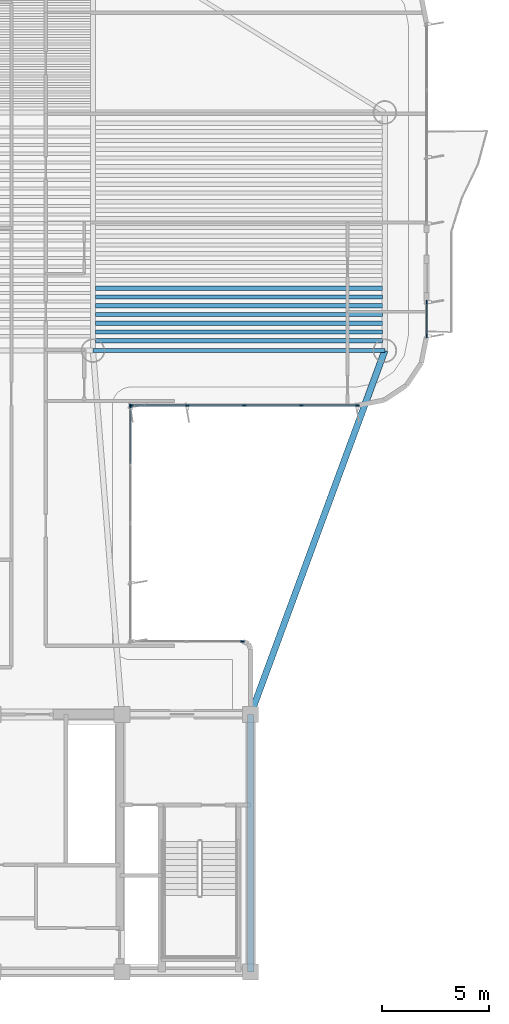
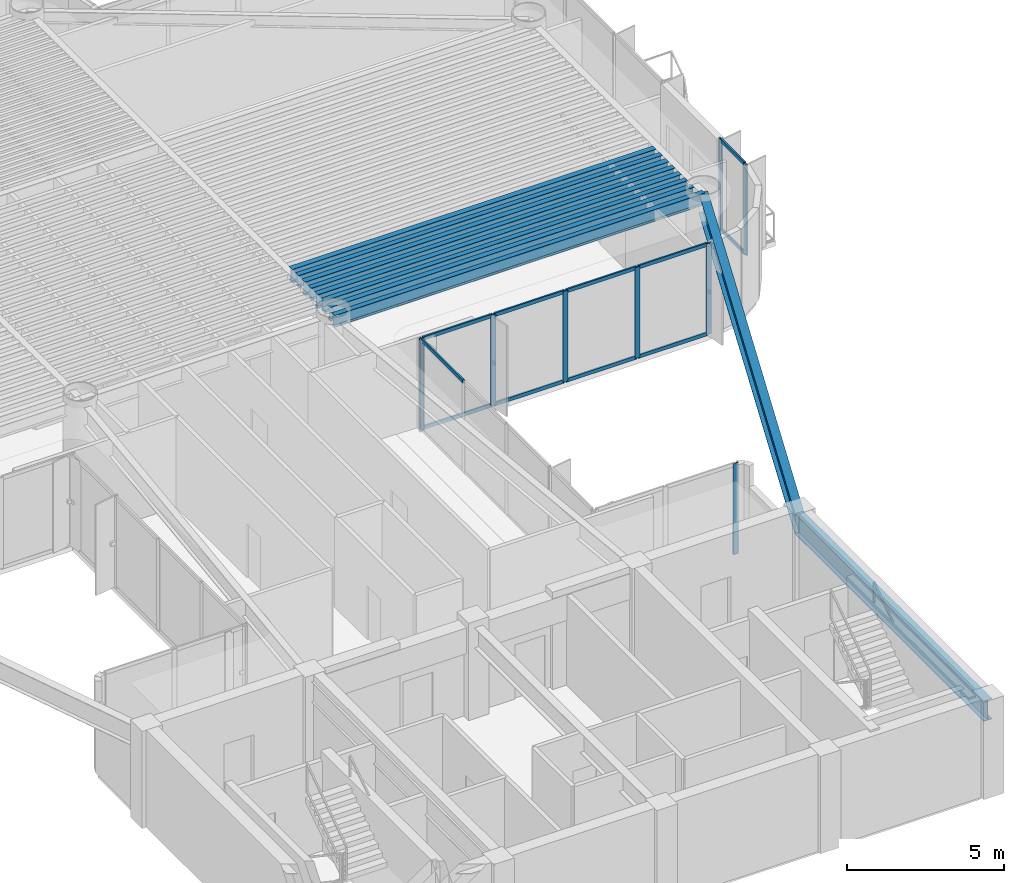
# One storey, part 4 of 14: 20 members, 10 beams, 4 elements without a shape of their own.
"""IFC4 building model written with IfcOpenShell, lengths in metres."""

from ifc_helpers import new_model, si_unit, direction, frame, origin, origin_2d, place, context, subcontext, project, spatial, rectangle, i_section, extrude, source, transform, mapped, material, layer, layer_set, material_profile, profile_set, type_object, element, aggregate, save


model = new_model("IFC4")

# Units and contexts
model_context = context("Model", 3, precision=1e-05, world=origin(), true_north=direction((0.0, 1.0)))
body_context = subcontext(model_context, "Body", "Model", "MODEL_VIEW")
ifc_project = project(units=[si_unit("LENGTHUNIT", "METRE"), si_unit("AREAUNIT", "SQUARE_METRE"), si_unit("VOLUMEUNIT", "CUBIC_METRE"), si_unit("PLANEANGLEUNIT", "RADIAN"), si_unit("MASSUNIT", "GRAM", prefix="KILO")], contexts=[model_context])

# Site, building, storey
site_placement = place(None, origin())
site = spatial("IfcSite", under=ifc_project, at=site_placement, CompositionType="ELEMENT")
building_placement = place(site_placement, origin())
building = spatial("IfcBuilding", under=site, at=building_placement, Name="Brelvock Crest Care Tower", CompositionType="ELEMENT")
storey_placement = place(building_placement, frame((0.0, 0.0, 205.56005859375)))
storey = spatial("IfcBuildingStorey", under=building, at=storey_placement, Name="L52", CompositionType="ELEMENT", Elevation=205.56005859375)

# Beams
ifc_material_1 = material(Name="Steel Grade 350", Category="steel")
ifc_material_profile_1 = material_profile(ifc_material_1, i_section(OverallWidth=0.300048828125, OverallDepth=0.800048828125, WebThickness=0.013916015625, FlangeThickness=0.02197265625, at=origin_2d()), Name="800WB192")
ifc_profile_set_1 = profile_set([ifc_material_profile_1], Name="Steel Grade 350")
beam_type_1 = type_object("IfcBeamType", Name="BM-G5", PredefinedType="BEAM", material=ifc_profile_set_1)
shared_shape_1 = source(origin(), body_context, "Body", "SweptSolid", [
    extrude(i_section(OverallWidth=0.300048828125, OverallDepth=0.800048828125, WebThickness=0.013916015625, FlangeThickness=0.02197265625, at=origin_2d()), origin(), (0.0, 0.0, 1.0), 12.0),
])
beam_1_placement = place(storey_placement, frame((48.0, 6.0, 3.1298828125), z_axis=(0.0, 1.0, 0.0), x_axis=(-1.0, 0.0, 0.0)))
element("IfcBeam", 1, at=beam_1_placement, inside=storey, type_object=beam_type_1, Name="BM-COREX-L52-5", PredefinedType="BEAM", context=body_context, shape_type="MappedRepresentation", body=[
    mapped(shared_shape_1, transform((0.0, 0.0, 0.0), x_axis=(1.0, 0.0, 0.0), y_axis=(0.0, 1.0, 0.0), z_axis=(0.0, 0.0, 1.0), scale=1.0)),
])
ifc_material_profile_2 = material_profile(ifc_material_1, i_section(OverallWidth=0.208984375, OverallDepth=0.532958984375, WebThickness=0.01025390625, FlangeThickness=0.015625, FilletRadius=0.013916015625, at=origin_2d()), Name="530UB92.4")
ifc_profile_set_2 = profile_set([ifc_material_profile_2], Name="Steel Grade 350")
beam_type_2 = type_object("IfcBeamType", Name="BM-G2", PredefinedType="BEAM", material=ifc_profile_set_2)
shared_shape_2 = source(origin(), body_context, "Body", "SweptSolid", [
    extrude(i_section(OverallWidth=0.208984375, OverallDepth=0.532958984375, WebThickness=0.01025390625, FlangeThickness=0.015625, FilletRadius=0.013916015625, at=origin_2d()), origin(), (0.0, 0.0, 1.0), 13.3701171875),
])
for number, where, z_axis, x_axis, name in (
    (2, (40.764892578125, 35.416259765625, 3.263427734375), (1.0, 0.0, 0.0), (0.0, 1.0, 0.0), "BM-JE-L52-1"),
    (3, (40.764892578125, 36.2265625, 3.263427734375), (1.0, 0.0, 0.0), (0.0, 1.0, 0.0), "BM-JE-L52-3"),
    (4, (40.764892578125, 37.036865234375, 3.263427734375), (1.0, 0.0, 0.0), (0.0, 1.0, 0.0), "BM-JE-L52-5"),
    (5, (40.764892578125, 37.84716796875, 3.263427734375), (1.0, 0.0, 0.0), (0.0, 1.0, 0.0), "BM-JE-L52-7"),
):
    element("IfcBeam", number, at=place(storey_placement, frame(where, z_axis=z_axis, x_axis=x_axis)), inside=storey, type_object=beam_type_2, Name=name, PredefinedType="BEAM", context=body_context, shape_type="MappedRepresentation", body=[
        mapped(shared_shape_2, transform((0.0, 0.0, 0.0), x_axis=(1.0, 0.0, 0.0), y_axis=(0.0, 1.0, 0.0), z_axis=(0.0, 0.0, 1.0), scale=1.0)),
    ])
ifc_material_profile_3 = material_profile(ifc_material_1, i_section(OverallWidth=0.19091796875, OverallDepth=0.4599609375, WebThickness=0.010009765625, FlangeThickness=0.01611328125, FilletRadius=0.011474609375, at=origin_2d()), Name="460UB82.1")
ifc_profile_set_3 = profile_set([ifc_material_profile_3], Name="Steel Grade 350")
beam_type_3 = type_object("IfcBeamType", Name="BM-G3", PredefinedType="BEAM", material=ifc_profile_set_3)
shared_shape_3 = source(origin(), body_context, "Body", "SweptSolid", [
    extrude(i_section(OverallWidth=0.19091796875, OverallDepth=0.4599609375, WebThickness=0.010009765625, FlangeThickness=0.01611328125, FilletRadius=0.011474609375, at=origin_2d()), origin(), (0.0, 0.0, 1.0), 13.3701171875),
])
for number, where, z_axis, x_axis, name in (
    (6, (40.764892578125, 35.8212890625, 3.300048828125), (1.0, 0.0, 0.0), (0.0, 1.0, 0.0), "BM-JE-L52-2"),
    (7, (40.764892578125, 36.631591796875, 3.300048828125), (1.0, 0.0, 0.0), (0.0, 1.0, 0.0), "BM-JE-L52-4"),
    (8, (40.764892578125, 37.44189453125, 3.300048828125), (1.0, 0.0, 0.0), (0.0, 1.0, 0.0), "BM-JE-L52-6"),
):
    element("IfcBeam", number, at=place(storey_placement, frame(where, z_axis=z_axis, x_axis=x_axis)), inside=storey, type_object=beam_type_3, Name=name, PredefinedType="BEAM", context=body_context, shape_type="MappedRepresentation", body=[
        mapped(shared_shape_3, transform((0.0, 0.0, 0.0), x_axis=(1.0, 0.0, 0.0), y_axis=(0.0, 1.0, 0.0), z_axis=(0.0, 0.0, 1.0), scale=1.0)),
    ])
ifc_material_profile_4 = material_profile(ifc_material_1, i_section(OverallWidth=0.19091796875, OverallDepth=0.4599609375, WebThickness=0.010009765625, FlangeThickness=0.01611328125, FilletRadius=0.011474609375, at=origin_2d()), Name="460UB82.1")
ifc_profile_set_4 = profile_set([ifc_material_profile_4], Name="Steel Grade 350")
beam_type_4 = type_object("IfcBeamType", Name="BM-SP2", PredefinedType="SPANDREL", material=ifc_profile_set_4)
shared_shape_4 = source(origin(), body_context, "Body", "SweptSolid", [
    extrude(i_section(OverallWidth=0.19091796875, OverallDepth=0.4599609375, WebThickness=0.010009765625, FlangeThickness=0.01611328125, FilletRadius=0.011474609375, at=origin_2d()), origin(), (0.0, 0.0, 1.0), 13.60009765625),
])
beam_2_placement = place(storey_placement, frame((40.64990234375, 34.949951171875, 3.300048828125), z_axis=(1.0, 0.0, 0.0), x_axis=(0.0, 1.0, 0.0)))
element("IfcBeam", 9, at=beam_2_placement, inside=storey, type_object=beam_type_4, Name="BM-TWR-L52-04", PredefinedType="SPANDREL", context=body_context, shape_type="MappedRepresentation", body=[
    mapped(shared_shape_4, transform((0.0, 0.0, 0.0), x_axis=(1.0, 0.0, 0.0), y_axis=(0.0, 1.0, 0.0), z_axis=(0.0, 0.0, 1.0), scale=1.0)),
])
shared_shape_5 = source(origin(), body_context, "Body", "SweptSolid", [
    extrude(i_section(OverallWidth=0.300048828125, OverallDepth=0.800048828125, WebThickness=0.013916015625, FlangeThickness=0.02197265625, at=origin_2d()), origin(), (0.0, 0.0, 1.0), 18.0654296875),
])
beam_3_placement = place(storey_placement, frame((48.0, 18.0, 3.1298828125), z_axis=(0.345962741309, 0.938248251597, 0.0), x_axis=(-0.938248251597, 0.345962741309, 0.0)))
element("IfcBeam", 10, at=beam_3_placement, inside=storey, type_object=beam_type_1, Name="BM-THRO-E-L52", PredefinedType="BEAM", context=body_context, shape_type="MappedRepresentation", body=[
    mapped(shared_shape_5, transform((0.0, 0.0, 0.0), x_axis=(1.0, 0.0, 0.0), y_axis=(0.0, 1.0, 0.0), z_axis=(0.0, 0.0, 1.0), scale=1.0)),
])

# Curtain wall, members
ifc_material_2 = material(Name="Dark Glass Double Glazed Low-E", Category="glass")
ifc_layer = layer(ifc_material_2, 0.22509765625, Name="CWS-4")
ifc_layer_set = layer_set([ifc_layer], Name="Dark Glass Double Glazed Low-E")
curtain_wall_type = type_object("IfcCurtainWallType", Name="CWS-4", PredefinedType="NOTDEFINED", material=ifc_layer_set)
curtain_wall_1_placement = place(storey_placement, origin())
curtain_wall_1 = element("IfcCurtainWall", 11, at=curtain_wall_1_placement, inside=storey, type_object=curtain_wall_type, Name="L52 Curtain Wall E39B", PredefinedType="NOTDEFINED")
ifc_material_3 = material(Name="Aluminium 6063-T6", Category="aluminium")
ifc_material_profile_5 = material_profile(ifc_material_3, rectangle(XDim=0.06005859375, YDim=0.179931640625, at=origin_2d()), Name="ALU60x180")
ifc_profile_set_5 = profile_set([ifc_material_profile_5], Name="Aluminium 6063-T6")
member_type_1 = type_object("IfcMemberType", Name="CWM-2", PredefinedType="MULLION", material=ifc_profile_set_5)
shared_shape_6 = source(origin(), body_context, "Body", "SweptSolid", [
    extrude(rectangle(XDim=0.06005859375, YDim=0.179931640625, at=origin_2d()), origin(), (0.0, 0.0, 1.0), 3.530029296875),
])
member_1_placement = place(storey_placement, frame((56.199951171875, 37.219970703125, 0.0), z_axis=(0.0, 0.0, 1.0), x_axis=(1.0, 0.0, 0.0)))
member_1 = element("IfcMember", 12, at=member_1_placement, type_object=member_type_1, Name="CW-4 mullion 1", PredefinedType="MULLION", context=body_context, shape_type="MappedRepresentation", body=[
    mapped(shared_shape_6, transform((0.0, 0.0, 0.0), x_axis=(1.0, 0.0, 0.0), y_axis=(0.0, 1.0, 0.0), z_axis=(0.0, 0.0, 1.0), scale=1.0)),
])
member_2_placement = place(storey_placement, frame((56.199951171875, 35.6298828125, 0.0), z_axis=(0.0, 0.0, 1.0), x_axis=(1.0, 0.0, 0.0)))
member_2 = element("IfcMember", 13, at=member_2_placement, type_object=member_type_1, Name="CW-4 mullion 2", PredefinedType="MULLION", context=body_context, shape_type="MappedRepresentation", body=[
    mapped(shared_shape_6, transform((0.0, 0.0, 0.0), x_axis=(1.0, 0.0, 0.0), y_axis=(0.0, 1.0, 0.0), z_axis=(0.0, 0.0, 1.0), scale=1.0)),
])

curtain_wall_2_placement = place(storey_placement, origin())
curtain_wall_2 = element("IfcCurtainWall", 14, at=curtain_wall_2_placement, inside=storey, type_object=curtain_wall_type, Name="L52 Curtain Wall E44", PredefinedType="NOTDEFINED")
member_3_placement = place(storey_placement, frame((52.969970703125, 32.39990234375, 0.0), z_axis=(0.0, 0.0, 1.0), x_axis=(0.0, -1.0, 0.0)))
member_3 = element("IfcMember", 15, at=member_3_placement, type_object=member_type_1, Name="CW-4 mullion 1", PredefinedType="MULLION", context=body_context, shape_type="MappedRepresentation", body=[
    mapped(shared_shape_6, transform((0.0, 0.0, 0.0), x_axis=(1.0, 0.0, 0.0), y_axis=(0.0, 1.0, 0.0), z_axis=(0.0, 0.0, 1.0), scale=1.0)),
])
member_4_placement = place(storey_placement, frame((50.35009765625, 32.39990234375, 0.0), z_axis=(0.0, 0.0, 1.0), x_axis=(0.0, -1.0, 0.0)))
member_4 = element("IfcMember", 16, at=member_4_placement, type_object=member_type_1, Name="CW-4 mullion 2", PredefinedType="MULLION", context=body_context, shape_type="MappedRepresentation", body=[
    mapped(shared_shape_6, transform((0.0, 0.0, 0.0), x_axis=(1.0, 0.0, 0.0), y_axis=(0.0, 1.0, 0.0), z_axis=(0.0, 0.0, 1.0), scale=1.0)),
])
member_5_placement = place(storey_placement, frame((47.699951171875, 32.39990234375, 0.0), z_axis=(0.0, 0.0, 1.0), x_axis=(0.0, -1.0, 0.0)))
member_5 = element("IfcMember", 17, at=member_5_placement, type_object=member_type_1, Name="CW-4 mullion 3", PredefinedType="MULLION", context=body_context, shape_type="MappedRepresentation", body=[
    mapped(shared_shape_6, transform((0.0, 0.0, 0.0), x_axis=(1.0, 0.0, 0.0), y_axis=(0.0, 1.0, 0.0), z_axis=(0.0, 0.0, 1.0), scale=1.0)),
])
member_6_placement = place(storey_placement, frame((45.050048828125, 32.39990234375, 0.0), z_axis=(0.0, 0.0, 1.0), x_axis=(0.0, -1.0, 0.0)))
member_6 = element("IfcMember", 18, at=member_6_placement, type_object=member_type_1, Name="CW-4 mullion 4", PredefinedType="MULLION", context=body_context, shape_type="MappedRepresentation", body=[
    mapped(shared_shape_6, transform((0.0, 0.0, 0.0), x_axis=(1.0, 0.0, 0.0), y_axis=(0.0, 1.0, 0.0), z_axis=(0.0, 0.0, 1.0), scale=1.0)),
])
member_7_placement = place(storey_placement, frame((42.429931640625, 32.39990234375, 0.0), z_axis=(0.0, 0.0, 1.0), x_axis=(0.0, -1.0, 0.0)))
member_7 = element("IfcMember", 19, at=member_7_placement, type_object=member_type_1, Name="CW-4 mullion 5", PredefinedType="MULLION", context=body_context, shape_type="MappedRepresentation", body=[
    mapped(shared_shape_6, transform((0.0, 0.0, 0.0), x_axis=(1.0, 0.0, 0.0), y_axis=(0.0, 1.0, 0.0), z_axis=(0.0, 0.0, 1.0), scale=1.0)),
])

# Curtain wall, member
curtain_wall_3_placement = place(storey_placement, origin())
curtain_wall_3 = element("IfcCurtainWall", 20, at=curtain_wall_3_placement, inside=storey, type_object=curtain_wall_type, Name="L52 Curtain Wall E45", PredefinedType="NOTDEFINED")
member_8_placement = place(storey_placement, frame((42.39990234375, 32.3701171875, 0.0), z_axis=(0.0, 0.0, 1.0), x_axis=(1.0, 0.0, 0.0)))
member_8 = element("IfcMember", 21, at=member_8_placement, type_object=member_type_1, Name="CW-4 mullion 1", PredefinedType="MULLION", context=body_context, shape_type="MappedRepresentation", body=[
    mapped(shared_shape_6, transform((0.0, 0.0, 0.0), x_axis=(1.0, 0.0, 0.0), y_axis=(0.0, 1.0, 0.0), z_axis=(0.0, 0.0, 1.0), scale=1.0)),
])

curtain_wall_4_placement = place(storey_placement, origin())
curtain_wall_4 = element("IfcCurtainWall", 22, at=curtain_wall_4_placement, inside=storey, type_object=curtain_wall_type, Name="L52 Curtain Wall E46", PredefinedType="NOTDEFINED")
member_9_placement = place(storey_placement, frame((47.6201171875, 21.39990234375, 0.0), z_axis=(0.0, 0.0, 1.0), x_axis=(0.0, 1.0, 0.0)))
member_9 = element("IfcMember", 23, at=member_9_placement, type_object=member_type_1, Name="CW-4 mullion 3", PredefinedType="MULLION", context=body_context, shape_type="MappedRepresentation", body=[
    mapped(shared_shape_6, transform((0.0, 0.0, 0.0), x_axis=(1.0, 0.0, 0.0), y_axis=(0.0, 1.0, 0.0), z_axis=(0.0, 0.0, 1.0), scale=1.0)),
])
aggregate(curtain_wall_4, [member_9])

# Member
ifc_material_profile_6 = material_profile(ifc_material_3, rectangle(XDim=0.06005859375, YDim=0.139892578125, at=origin_2d()), Name="ALU60x140")
ifc_profile_set_6 = profile_set([ifc_material_profile_6], Name="Aluminium 6063-T6")
member_type_2 = type_object("IfcMemberType", Name="CWT-2", PredefinedType="USERDEFINED", material=ifc_profile_set_6)
shared_shape_7 = source(origin(), body_context, "Body", "SweptSolid", [
    extrude(rectangle(XDim=0.06005859375, YDim=0.139892578125, at=origin_2d()), origin(), (0.0, 0.0, 1.0), 2.66015625),
])
member_10_placement = place(storey_placement, frame((42.39990234375, 32.340087890625, 3.5), z_axis=(0.0, -1.0, 0.0), x_axis=(1.0, 0.0, 0.0)))
member_10 = element("IfcMember", 24, at=member_10_placement, type_object=member_type_2, Name="CW-4 transom 1.2", ObjectType="TRANSOM", PredefinedType="USERDEFINED", context=body_context, shape_type="MappedRepresentation", body=[
    mapped(shared_shape_7, transform((0.0, 0.0, 0.0), x_axis=(1.0, 0.0, 0.0), y_axis=(0.0, 1.0, 0.0), z_axis=(0.0, 0.0, 1.0), scale=1.0)),
])

aggregate(curtain_wall_3, [member_8, member_10])

shared_shape_8 = source(origin(), body_context, "Body", "SweptSolid", [
    extrude(rectangle(XDim=0.06005859375, YDim=0.139892578125, at=origin_2d()), origin(), (0.0, 0.0, 1.0), 2.56005859375),
])
member_11_placement = place(storey_placement, frame((52.93994140625, 32.39990234375, 0.030029296875), z_axis=(-1.0, 0.0, 0.0), x_axis=(0.0, -1.0, 0.0)))
member_11 = element("IfcMember", 25, at=member_11_placement, type_object=member_type_2, Name="CW-4 transom 1.1", ObjectType="TRANSOM", PredefinedType="USERDEFINED", context=body_context, shape_type="MappedRepresentation", body=[
    mapped(shared_shape_8, transform((0.0, 0.0, 0.0), x_axis=(1.0, 0.0, 0.0), y_axis=(0.0, 1.0, 0.0), z_axis=(0.0, 0.0, 1.0), scale=1.0)),
])

member_12_placement = place(storey_placement, frame((52.93994140625, 32.39990234375, 3.5), z_axis=(-1.0, 0.0, 0.0), x_axis=(0.0, -1.0, 0.0)))
member_12 = element("IfcMember", 26, at=member_12_placement, type_object=member_type_2, Name="CW-4 transom 1.2", ObjectType="TRANSOM", PredefinedType="USERDEFINED", context=body_context, shape_type="MappedRepresentation", body=[
    mapped(shared_shape_8, transform((0.0, 0.0, 0.0), x_axis=(1.0, 0.0, 0.0), y_axis=(0.0, 1.0, 0.0), z_axis=(0.0, 0.0, 1.0), scale=1.0)),
])

member_13_placement = place(storey_placement, frame((45.02001953125, 32.39990234375, 0.030029296875), z_axis=(-1.0, 0.0, 0.0), x_axis=(0.0, -1.0, 0.0)))
member_13 = element("IfcMember", 27, at=member_13_placement, type_object=member_type_2, Name="CW-4 transom 4.1", ObjectType="TRANSOM", PredefinedType="USERDEFINED", context=body_context, shape_type="MappedRepresentation", body=[
    mapped(shared_shape_8, transform((0.0, 0.0, 0.0), x_axis=(1.0, 0.0, 0.0), y_axis=(0.0, 1.0, 0.0), z_axis=(0.0, 0.0, 1.0), scale=1.0)),
])

member_14_placement = place(storey_placement, frame((45.02001953125, 32.39990234375, 3.5), z_axis=(-1.0, 0.0, 0.0), x_axis=(0.0, -1.0, 0.0)))
member_14 = element("IfcMember", 28, at=member_14_placement, type_object=member_type_2, Name="CW-4 transom 4.2", ObjectType="TRANSOM", PredefinedType="USERDEFINED", context=body_context, shape_type="MappedRepresentation", body=[
    mapped(shared_shape_8, transform((0.0, 0.0, 0.0), x_axis=(1.0, 0.0, 0.0), y_axis=(0.0, 1.0, 0.0), z_axis=(0.0, 0.0, 1.0), scale=1.0)),
])

shared_shape_9 = source(origin(), body_context, "Body", "SweptSolid", [
    extrude(rectangle(XDim=0.06005859375, YDim=0.139892578125, at=origin_2d()), origin(), (0.0, 0.0, 1.0), 2.58984375),
])
member_15_placement = place(storey_placement, frame((47.669921875, 32.39990234375, 0.030029296875), z_axis=(-1.0, 0.0, 0.0), x_axis=(0.0, -1.0, 0.0)))
member_15 = element("IfcMember", 29, at=member_15_placement, type_object=member_type_2, Name="CW-4 transom 3.1", ObjectType="TRANSOM", PredefinedType="USERDEFINED", context=body_context, shape_type="MappedRepresentation", body=[
    mapped(shared_shape_9, transform((0.0, 0.0, 0.0), x_axis=(1.0, 0.0, 0.0), y_axis=(0.0, 1.0, 0.0), z_axis=(0.0, 0.0, 1.0), scale=1.0)),
])

member_16_placement = place(storey_placement, frame((47.669921875, 32.39990234375, 3.5), z_axis=(-1.0, 0.0, 0.0), x_axis=(0.0, -1.0, 0.0)))
member_16 = element("IfcMember", 30, at=member_16_placement, type_object=member_type_2, Name="CW-4 transom 3.2", ObjectType="TRANSOM", PredefinedType="USERDEFINED", context=body_context, shape_type="MappedRepresentation", body=[
    mapped(shared_shape_9, transform((0.0, 0.0, 0.0), x_axis=(1.0, 0.0, 0.0), y_axis=(0.0, 1.0, 0.0), z_axis=(0.0, 0.0, 1.0), scale=1.0)),
])

shared_shape_10 = source(origin(), body_context, "Body", "SweptSolid", [
    extrude(rectangle(XDim=0.06005859375, YDim=0.139892578125, at=origin_2d()), origin(), (0.0, 0.0, 1.0), 2.590087890625),
])
member_17_placement = place(storey_placement, frame((50.320068359375, 32.39990234375, 0.030029296875), z_axis=(-1.0, 0.0, 0.0), x_axis=(0.0, -1.0, 0.0)))
member_17 = element("IfcMember", 31, at=member_17_placement, type_object=member_type_2, Name="CW-4 transom 2.1", ObjectType="TRANSOM", PredefinedType="USERDEFINED", context=body_context, shape_type="MappedRepresentation", body=[
    mapped(shared_shape_10, transform((0.0, 0.0, 0.0), x_axis=(1.0, 0.0, 0.0), y_axis=(0.0, 1.0, 0.0), z_axis=(0.0, 0.0, 1.0), scale=1.0)),
])

member_18_placement = place(storey_placement, frame((50.320068359375, 32.39990234375, 3.5), z_axis=(-1.0, 0.0, 0.0), x_axis=(0.0, -1.0, 0.0)))
member_18 = element("IfcMember", 32, at=member_18_placement, type_object=member_type_2, Name="CW-4 transom 2.2", ObjectType="TRANSOM", PredefinedType="USERDEFINED", context=body_context, shape_type="MappedRepresentation", body=[
    mapped(shared_shape_10, transform((0.0, 0.0, 0.0), x_axis=(1.0, 0.0, 0.0), y_axis=(0.0, 1.0, 0.0), z_axis=(0.0, 0.0, 1.0), scale=1.0)),
])

aggregate(curtain_wall_2, [member_3, member_4, member_5, member_6, member_7, member_11, member_12, member_17, member_18, member_15, member_16, member_13, member_14])

shared_shape_11 = source(origin(), body_context, "Body", "SweptSolid", [
    extrude(rectangle(XDim=0.06005859375, YDim=0.139892578125, at=origin_2d()), origin(), (0.0, 0.0, 1.0), 1.530029296875),
])
member_19_placement = place(storey_placement, frame((56.199951171875, 37.18994140625, 0.030029296875), z_axis=(0.0, -1.0, 0.0), x_axis=(1.0, 0.0, 0.0)))
member_19 = element("IfcMember", 33, at=member_19_placement, type_object=member_type_2, Name="CW-4 transom 1.1", ObjectType="TRANSOM", PredefinedType="USERDEFINED", context=body_context, shape_type="MappedRepresentation", body=[
    mapped(shared_shape_11, transform((0.0, 0.0, 0.0), x_axis=(1.0, 0.0, 0.0), y_axis=(0.0, 1.0, 0.0), z_axis=(0.0, 0.0, 1.0), scale=1.0)),
])

member_20_placement = place(storey_placement, frame((56.199951171875, 37.18994140625, 3.5), z_axis=(0.0, -1.0, 0.0), x_axis=(1.0, 0.0, 0.0)))
member_20 = element("IfcMember", 34, at=member_20_placement, type_object=member_type_2, Name="CW-4 transom 1.2", ObjectType="TRANSOM", PredefinedType="USERDEFINED", context=body_context, shape_type="MappedRepresentation", body=[
    mapped(shared_shape_11, transform((0.0, 0.0, 0.0), x_axis=(1.0, 0.0, 0.0), y_axis=(0.0, 1.0, 0.0), z_axis=(0.0, 0.0, 1.0), scale=1.0)),
])

aggregate(curtain_wall_1, [member_1, member_2, member_19, member_20])

save(model, "model.ifc")
